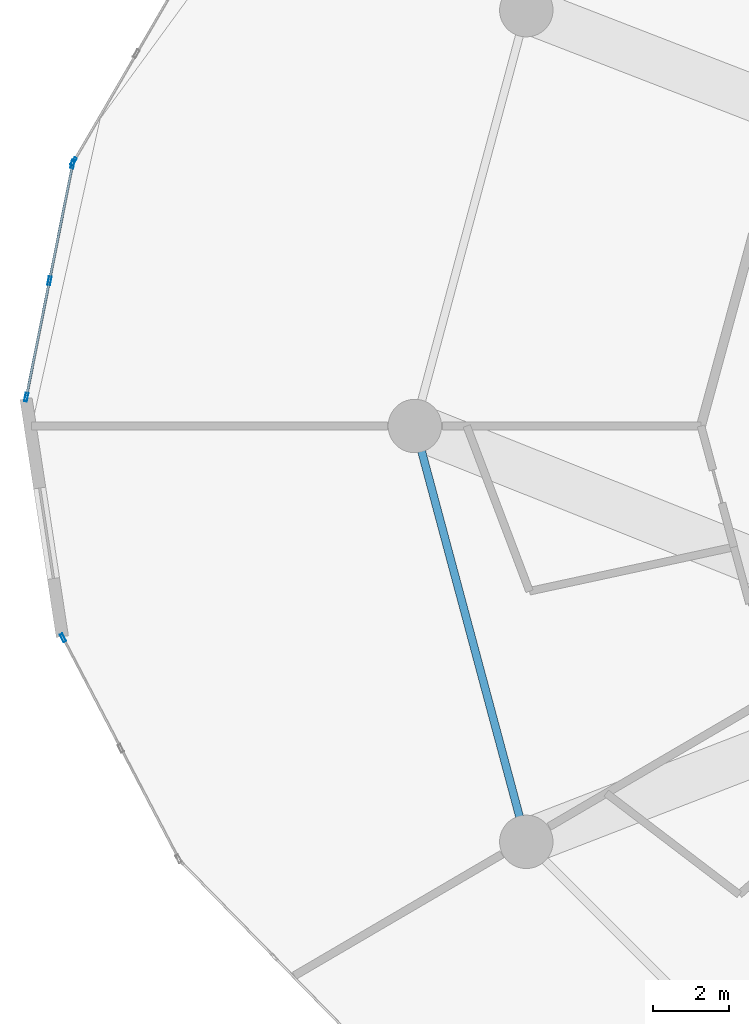
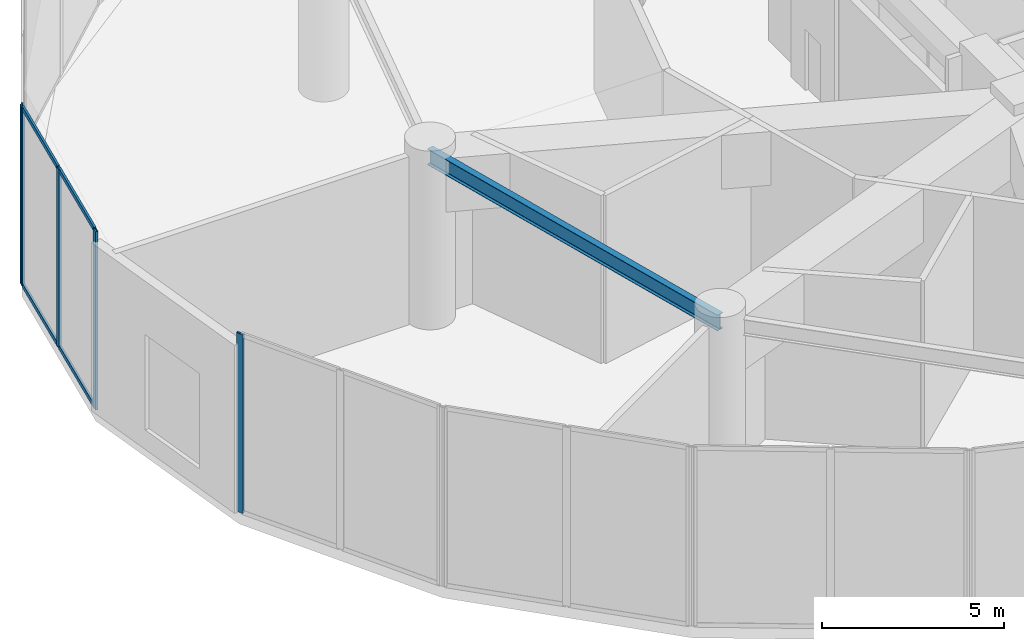
# One storey, part 7 of 28: 9 members, 1 beam, 3 elements without a shape of their own.
"""IFC4 building model written with IfcOpenShell, lengths in metres."""

from ifc_helpers import new_model, si_unit, direction, frame, origin, origin_2d, place, context, subcontext, project, spatial, hollow_rectangle, i_section, extrude, source, transform, mapped, material, layer, layer_set, material_profile, profile_set, type_object, element, aggregate, save


model = new_model("IFC4")

# Units and contexts
model_context = context("Model", 3, precision=1e-05, world=origin(), true_north=direction((0.0, 1.0)))
body_context = subcontext(model_context, "Body", "Model", "MODEL_VIEW")
ifc_project = project(units=[si_unit("LENGTHUNIT", "METRE"), si_unit("AREAUNIT", "SQUARE_METRE"), si_unit("VOLUMEUNIT", "CUBIC_METRE"), si_unit("PLANEANGLEUNIT", "RADIAN"), si_unit("MASSUNIT", "GRAM", prefix="KILO")], contexts=[model_context])

# Site, building, storey
site_placement = place(None, origin())
site = spatial("IfcSite", under=ifc_project, at=site_placement, CompositionType="ELEMENT")
building_placement = place(site_placement, origin())
building = spatial("IfcBuilding", under=site, at=building_placement, Name="Solvirekh Grand Hotel", CompositionType="ELEMENT")
storey_placement = place(building_placement, frame((0.0, 0.0, 12.60009765625)))
storey = spatial("IfcBuildingStorey", under=building, at=storey_placement, Name="L02", CompositionType="ELEMENT", Elevation=12.60009765625)

# Beam
ifc_material_1 = material(Name="Steel S355", Category="steel")
ifc_material_profile_1 = material_profile(ifc_material_1, i_section(OverallWidth=0.208984375, OverallDepth=0.532958984375, WebThickness=0.010009765625, FlangeThickness=0.014892578125, FilletRadius=0.013916015625, at=origin_2d()), Name="W530X92")
ifc_profile_set_1 = profile_set([ifc_material_profile_1], Name="Steel S355")
beam_type = type_object("IfcBeamType", Name="Spandrel_Ring_W530", PredefinedType="SPANDREL", material=ifc_profile_set_1)
beam_placement = place(storey_placement, frame((-21.800048828125, 0.0, 5.372802734375), z_axis=(0.258862249378, -0.965914248703, 0.0), x_axis=(0.965914248703, 0.258862249378, 0.0)))
element("IfcBeam", 1, at=beam_placement, inside=storey, type_object=beam_type, Name="L02 perimeter spandrel beam 7", PredefinedType="SPANDREL", context=body_context, shape_type="SweptSolid", body=[
    extrude(i_section(OverallWidth=0.208984375, OverallDepth=0.532958984375, WebThickness=0.010009765625, FlangeThickness=0.014892578125, FilletRadius=0.013916015625, at=origin_2d()), origin(), (0.0, 0.0, 1.0), 11.284423828125),
])

# Curtain wall, members
ifc_material_2 = material(Name="Anodized Bronze Aluminium 6063-T6", Category="aluminium")
ifc_layer = layer(ifc_material_2, 0.219970703125)
ifc_layer_set = layer_set([ifc_layer], Name="Anodized Bronze Aluminium 6063-T6")
curtain_wall_type = type_object("IfcCurtainWallType", Name="CW_Sys1_PodiumBronzeUnitised", PredefinedType="NOTDEFINED", material=ifc_layer_set)
curtain_wall_1_placement = place(storey_placement, origin())
curtain_wall_1 = element("IfcCurtainWall", 2, at=curtain_wall_1_placement, inside=storey, type_object=curtain_wall_type, Name="L02 unitised bronze-glass curtain wall CW-L02-C12", PredefinedType="NOTDEFINED")
ifc_material_profile_2 = material_profile(ifc_material_2, hollow_rectangle(XDim=0.06494140625, YDim=0.14990234375, WallThickness=0.0048828125, at=origin_2d()), Name="ALU RHS 150X65X5")
ifc_profile_set_2 = profile_set([ifc_material_profile_2], Name="Anodized Bronze Aluminium 6063-T6")
member_type_1 = type_object("IfcMemberType", Name="CWTransom_Sys1", PredefinedType="USERDEFINED", material=ifc_profile_set_2)
shared_shape_1 = source(origin(), body_context, "Body", "SweptSolid", [
    extrude(hollow_rectangle(XDim=0.06494140625, YDim=0.14990234375, WallThickness=0.0048828125, at=origin_2d()), origin(), (0.0, 0.0, 1.0), 3.041015625),
])
member_1_placement = place(storey_placement, frame((-30.777587890625, 6.827392578125, 0.032470703125), z_axis=(-0.194849950326, -0.980833062686, 0.0), x_axis=(0.980833062686, -0.194849950326, 0.0)))
member_1 = element("IfcMember", 3, at=member_1_placement, type_object=member_type_1, Name="U01 transom 1.1", ObjectType="TRANSOM", PredefinedType="USERDEFINED", context=body_context, shape_type="MappedRepresentation", body=[
    mapped(shared_shape_1, transform((0.0, 0.0, 0.0), x_axis=(1.0, 0.0, 0.0), y_axis=(0.0, 1.0, 0.0), z_axis=(0.0, 0.0, 1.0), scale=1.0)),
])
member_2_placement = place(storey_placement, frame((-30.777587890625, 6.827392578125, 5.96728515625), z_axis=(-0.194849950326, -0.980833062686, 0.0), x_axis=(0.980833062686, -0.194849950326, 0.0)))
member_2 = element("IfcMember", 4, at=member_2_placement, type_object=member_type_1, Name="U01 transom 1.2", ObjectType="TRANSOM", PredefinedType="USERDEFINED", context=body_context, shape_type="MappedRepresentation", body=[
    mapped(shared_shape_1, transform((0.0, 0.0, 0.0), x_axis=(1.0, 0.0, 0.0), y_axis=(0.0, 1.0, 0.0), z_axis=(0.0, 0.0, 1.0), scale=1.0)),
])
member_3_placement = place(storey_placement, frame((-31.384765625, 3.771240234375, 0.032470703125), z_axis=(-0.194849950326, -0.980833062686, 0.0), x_axis=(0.980833062686, -0.194849950326, 0.0)))
member_3 = element("IfcMember", 5, at=member_3_placement, type_object=member_type_1, Name="U01 transom 2.1", ObjectType="TRANSOM", PredefinedType="USERDEFINED", context=body_context, shape_type="MappedRepresentation", body=[
    mapped(shared_shape_1, transform((0.0, 0.0, 0.0), x_axis=(1.0, 0.0, 0.0), y_axis=(0.0, 1.0, 0.0), z_axis=(0.0, 0.0, 1.0), scale=1.0)),
])
member_4_placement = place(storey_placement, frame((-31.384765625, 3.771240234375, 5.96728515625), z_axis=(-0.194849950326, -0.980833062686, 0.0), x_axis=(0.980833062686, -0.194849950326, 0.0)))
member_4 = element("IfcMember", 6, at=member_4_placement, type_object=member_type_1, Name="U01 transom 2.2", ObjectType="TRANSOM", PredefinedType="USERDEFINED", context=body_context, shape_type="MappedRepresentation", body=[
    mapped(shared_shape_1, transform((0.0, 0.0, 0.0), x_axis=(1.0, 0.0, 0.0), y_axis=(0.0, 1.0, 0.0), z_axis=(0.0, 0.0, 1.0), scale=1.0)),
])

# Curtain wall, member
curtain_wall_2_placement = place(storey_placement, origin())
curtain_wall_2 = element("IfcCurtainWall", 7, at=curtain_wall_2_placement, inside=storey, type_object=curtain_wall_type, Name="L02 unitised bronze-glass curtain wall CW-L02-C11", PredefinedType="NOTDEFINED")
ifc_material_profile_3 = material_profile(ifc_material_2, hollow_rectangle(XDim=0.074951171875, YDim=0.219970703125, WallThickness=0.006103515625, at=origin_2d()), Name="ALU RHS 220X75X6")
ifc_profile_set_3 = profile_set([ifc_material_profile_3], Name="Anodized Bronze Aluminium 6063-T6")
member_type_2 = type_object("IfcMemberType", Name="CWMullion_Sys1", PredefinedType="MULLION", material=ifc_profile_set_3)
shared_shape_2 = source(origin(), body_context, "Body", "SweptSolid", [
    extrude(hollow_rectangle(XDim=0.074951171875, YDim=0.219970703125, WallThickness=0.006103515625, at=origin_2d()), origin(), (0.0, 0.0, 1.0), 6.0),
])
member_5_placement = place(storey_placement, frame((-30.744140625, 6.933349609375, 0.0), z_axis=(0.0, 0.0, 1.0), x_axis=(0.864354314158, -0.502883306143, 0.0)))
member_5 = element("IfcMember", 8, at=member_5_placement, type_object=member_type_2, Name="U01 mullion 3", PredefinedType="MULLION", context=body_context, shape_type="MappedRepresentation", body=[
    mapped(shared_shape_2, transform((0.0, 0.0, 0.0), x_axis=(1.0, 0.0, 0.0), y_axis=(0.0, 1.0, 0.0), z_axis=(0.0, 0.0, 1.0), scale=1.0)),
])
aggregate(curtain_wall_2, [member_5])

# Member
member_6_placement = place(storey_placement, frame((-30.770263671875, 6.8642578125, 0.0), z_axis=(0.0, 0.0, 1.0), x_axis=(0.98082991002, -0.194865819503, 0.0)))
member_6 = element("IfcMember", 9, at=member_6_placement, type_object=member_type_2, Name="U01 mullion 1", PredefinedType="MULLION", context=body_context, shape_type="MappedRepresentation", body=[
    mapped(shared_shape_2, transform((0.0, 0.0, 0.0), x_axis=(1.0, 0.0, 0.0), y_axis=(0.0, 1.0, 0.0), z_axis=(0.0, 0.0, 1.0), scale=1.0)),
])

member_7_placement = place(storey_placement, frame((-31.37744140625, 3.80810546875, 0.0), z_axis=(0.0, 0.0, 1.0), x_axis=(0.98082991002, -0.194865819503, 0.0)))
member_7 = element("IfcMember", 10, at=member_7_placement, type_object=member_type_2, Name="U01 mullion 2", PredefinedType="MULLION", context=body_context, shape_type="MappedRepresentation", body=[
    mapped(shared_shape_2, transform((0.0, 0.0, 0.0), x_axis=(1.0, 0.0, 0.0), y_axis=(0.0, 1.0, 0.0), z_axis=(0.0, 0.0, 1.0), scale=1.0)),
])

member_8_placement = place(storey_placement, frame((-31.984619140625, 0.751708984375, 0.0), z_axis=(0.0, 0.0, 1.0), x_axis=(0.98082991002, -0.194865819503, 0.0)))
member_8 = element("IfcMember", 11, at=member_8_placement, type_object=member_type_2, Name="U01 mullion 3", PredefinedType="MULLION", context=body_context, shape_type="MappedRepresentation", body=[
    mapped(shared_shape_2, transform((0.0, 0.0, 0.0), x_axis=(1.0, 0.0, 0.0), y_axis=(0.0, 1.0, 0.0), z_axis=(0.0, 0.0, 1.0), scale=1.0)),
])

aggregate(curtain_wall_1, [member_6, member_7, member_8, member_1, member_2, member_3, member_4])

# Curtain wall, member
curtain_wall_3_placement = place(storey_placement, origin())
curtain_wall_3 = element("IfcCurtainWall", 12, at=curtain_wall_3_placement, inside=storey, type_object=curtain_wall_type, Name="L02 unitised bronze-glass curtain wall CW-L02-C14", PredefinedType="NOTDEFINED")
member_9_placement = place(storey_placement, frame((-31.023681640625, -5.55322265625, 0.0), z_axis=(0.0, 0.0, 1.0), x_axis=(0.885923280364, 0.463831802821, 0.0)))
member_9 = element("IfcMember", 13, at=member_9_placement, type_object=member_type_2, Name="U01 mullion 1", PredefinedType="MULLION", context=body_context, shape_type="MappedRepresentation", body=[
    mapped(shared_shape_2, transform((0.0, 0.0, 0.0), x_axis=(1.0, 0.0, 0.0), y_axis=(0.0, 1.0, 0.0), z_axis=(0.0, 0.0, 1.0), scale=1.0)),
])
aggregate(curtain_wall_3, [member_9])

save(model, "model.ifc")
